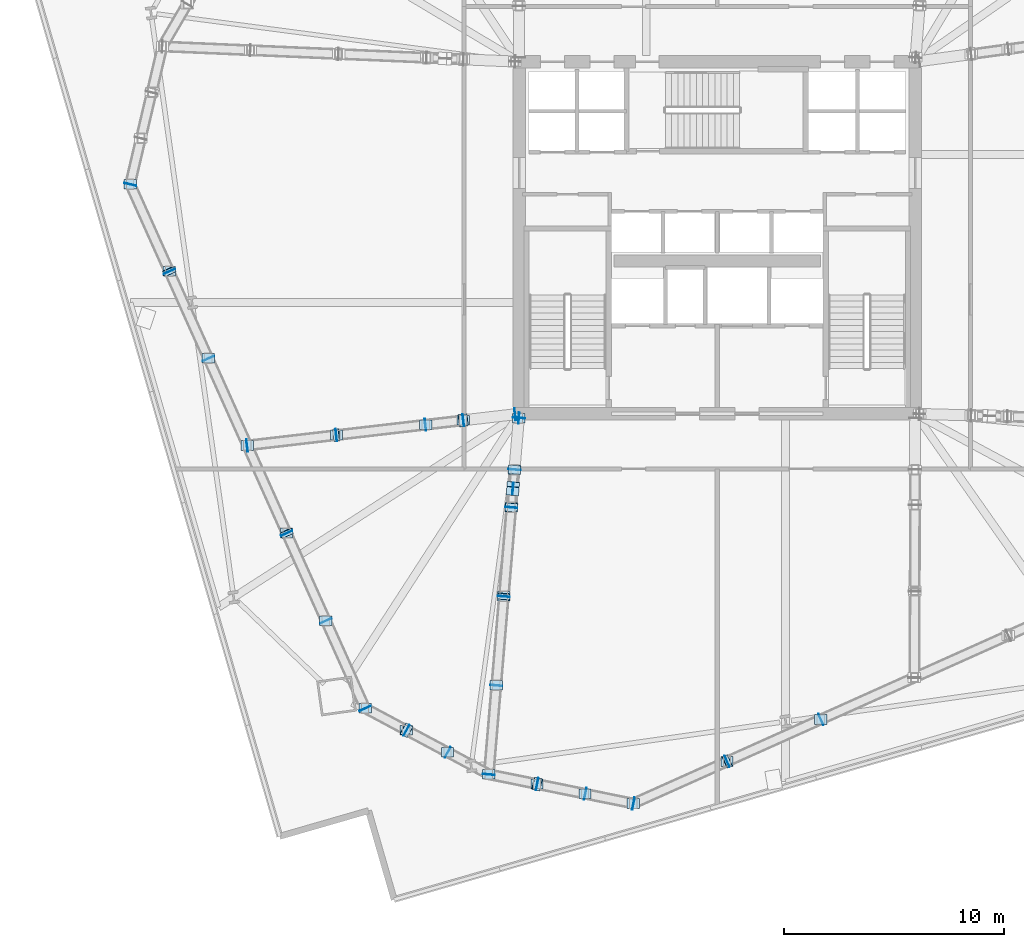
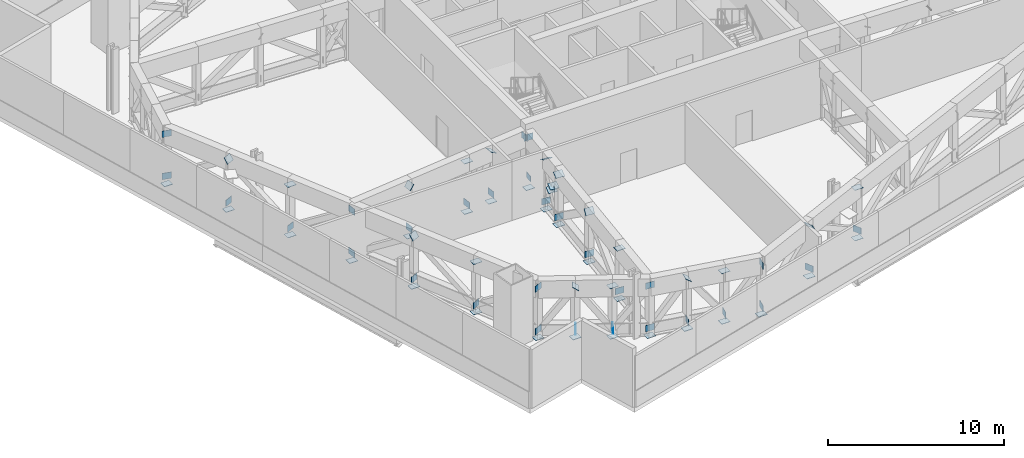
# One storey, part 8 of 19: 73 plates.
"""IFC4 building model written with IfcOpenShell, lengths in metres."""

from ifc_helpers import new_model, si_unit, direction, frame, origin, origin_2d, place, context, subcontext, project, spatial, rectangle, extrude, source, transform, mapped, material, layer, layer_set, type_object, element, save


model = new_model("IFC4")

# Units and contexts
model_context = context("Model", 3, precision=1e-05, world=origin(), true_north=direction((0.0, 1.0)))
body_context = subcontext(model_context, "Body", "Model", "MODEL_VIEW")
ifc_project = project(units=[si_unit("LENGTHUNIT", "METRE"), si_unit("AREAUNIT", "SQUARE_METRE"), si_unit("VOLUMEUNIT", "CUBIC_METRE"), si_unit("PLANEANGLEUNIT", "RADIAN"), si_unit("MASSUNIT", "GRAM", prefix="KILO")], contexts=[model_context])

# Site, building, storey
site_placement = place(None, origin())
site = spatial("IfcSite", under=ifc_project, at=site_placement, CompositionType="ELEMENT")
building_placement = place(site_placement, origin())
building = spatial("IfcBuilding", under=site, at=building_placement, Name="Haldenkirk Collegiate Tower", CompositionType="ELEMENT")
storey_placement = place(building_placement, frame((0.0, 0.0, 81.449951171875)))
storey = spatial("IfcBuildingStorey", under=building, at=storey_placement, Name="L19", CompositionType="ELEMENT", Elevation=81.449951171875)

# Plates
ifc_material = material(Name="Steel ASTM A572 Grade 50", Category="steel")
ifc_layer_1 = layer(ifc_material, 0.028076171875)
ifc_layer_set_1 = layer_set([ifc_layer_1], Name="Steel ASTM A572 Grade 50")
plate_type_1 = type_object("IfcPlateType", Name="PLT-CAP-INT-560X440", PredefinedType="USERDEFINED", material=ifc_layer_set_1)
shared_shape_1 = source(origin(), body_context, "Body", "SweptSolid", [
    extrude(rectangle(XDim=0.56005859375, YDim=0.43994140625, at=origin_2d()), origin(), (0.0, 0.0, 1.0), 0.028076171875),
])
for number, where, z_axis, x_axis, name in (
    (1, (26.98291015625, 17.7978515625, 3.489990234375), (0.084142973976, 0.996453691814, 0.0), (-0.996453691814, 0.084142973976, 0.0), "Outrigger Truss L19 Radial 01 top chord 1 end cap plate 1"),
    (2, (26.784423828125, 15.447021484375, 0.550048828125), (0.084148022421, 0.996453265499, 0.0), (-0.996453265499, 0.084148022421, 0.0), "Outrigger Truss L19 Radial 01 bottom chord 2 end plate 1"),
    (3, (26.641845703125, 13.7578125, 0.550048828125), (-0.084148022421, -0.996453265499, 0.0), (0.996453265499, -0.084148022421, 0.0), "Outrigger Truss L19 Radial 01 bottom chord 2 end plate 2"),
    (4, (26.78466796875, 15.448486328125, 3.4873046875), (0.042159022942, 0.499023271555, 0.865562471016), (-0.996450242587, 0.084183811076, -3.60665e-07), "Outrigger Truss L19 Radial 01 web diagonal 2 end cap plate 1"),
    (5, (26.72314453125, 14.723876953125, 1.8095703125), (-0.042171006803, -0.4989950805, 0.865578139639), (0.996447805476, -0.084212653215, -5.68968e-07), "Outrigger Truss L19 Radial 01 split X-brace diagonal 2A end cap plate 2"),
    (6, (26.703125, 14.481201171875, 2.23046875), (0.042171006803, 0.4989950805, -0.865578139639), (-0.996447805476, 0.084212653215, 5.68968e-07), "Outrigger Truss L19 Radial 01 split X-brace diagonal 2B end cap plate 1"),
    (7, (26.6416015625, 13.756591796875, 3.4873046875), (-0.042171006803, -0.4989950805, 0.865578139639), (0.996447805476, -0.084212653215, -5.68968e-07), "Outrigger Truss L19 Radial 01 split X-brace diagonal 2B end cap plate 2"),
    (8, (26.30029296875, 9.712158203125, 0.550048828125), (-0.084148022421, -0.996453265499, 0.0), (0.996453265499, -0.084148022421, 0.0), "Outrigger Truss L19 Radial 01 bottom chord 3 end plate 2"),
    (9, (26.30029296875, 9.711669921875, 3.48828125), (-0.068145980093, -0.807076764234, 0.58650082867), (0.996454270265, -0.084136123458, 7.2616e-08), "Outrigger Truss L19 Radial 01 web diagonal 3 end cap plate 2"),
    (10, (25.95849609375, 5.66650390625, 0.550048828125), (-0.084148022421, -0.996453265499, 0.0), (0.996453265499, -0.084148022421, 0.0), "Outrigger Truss L19 Radial 01 bottom chord 4 end plate 2"),
    (11, (25.616943359375, 1.620849609375, 3.489990234375), (-0.084136023532, -0.996454278702, 0.0), (0.996454278702, -0.084136023532, 0.0), "Outrigger Truss L19 Radial 01 top chord 5 end cap plate 2"),
    (12, (25.616943359375, 1.620849609375, 0.550048828125), (-0.084148022421, -0.996453265499, 0.0), (0.996453265499, -0.084148022421, 0.0), "Outrigger Truss L19 Radial 01 bottom chord 5 end plate 2"),
    (13, (26.983154296875, 17.80078125, 0.0029296875), (0.0, 0.0, -1.0), (1.0, 0.0, 0.0), "Outrigger Truss L19 Radial 01 vertical post 1 end cap plate 1"),
    (14, (26.78466796875, 15.449951171875, 0.0029296875), (0.0, 0.0, -1.0), (1.0, 0.0, 0.0), "Outrigger Truss L19 Radial 01 vertical post 2 end cap plate 1"),
    (15, (26.6416015625, 13.7548828125, 0.0029296875), (0.0, 0.0, -1.0), (1.0, 0.0, 0.0), "Outrigger Truss L19 Radial 01 vertical post 3 end cap plate 1"),
    (16, (26.2998046875, 9.709228515625, 0.0029296875), (0.0, 0.0, -1.0), (1.0, 0.0, 0.0), "Outrigger Truss L19 Radial 01 vertical post 4 end cap plate 1"),
    (17, (25.958251953125, 5.66357421875, 0.0029296875), (0.0, 0.0, -1.0), (1.0, 0.0, 0.0), "Outrigger Truss L19 Radial 01 vertical post 5 end cap plate 1"),
    (18, (25.958251953125, 5.66357421875, 3.48681640625), (0.0, 0.0, 1.0), (1.0, 0.0, 0.0), "Outrigger Truss L19 Radial 01 vertical post 5 end cap plate 2"),
    (19, (25.61669921875, 1.617919921875, 0.0029296875), (0.0, 0.0, -1.0), (1.0, 0.0, 0.0), "Outrigger Truss L19 Radial 01 vertical post 6 end cap plate 1"),
    (20, (26.79833984375, 17.9765625, 3.489990234375), (0.993288276547, 0.115665032203, 0.0), (-0.115665032203, 0.993288276547, 0.0), "Outrigger Truss L19 Radial 08 top chord 1 end cap plate 1"),
    (21, (24.447021484375, 17.70263671875, 0.550048828125), (0.993286884432, 0.115676986541, 0.0), (-0.115676986541, 0.993286884432, 0.0), "Outrigger Truss L19 Radial 08 bottom chord 2 end plate 1"),
    (22, (22.75146484375, 17.50537109375, 0.550048828125), (-0.993286884432, -0.115676986541, 0.0), (0.115676986541, -0.993286884432, 0.0), "Outrigger Truss L19 Radial 08 bottom chord 2 end plate 2"),
    (23, (24.448486328125, 17.702880859375, 3.4873046875), (0.500074219177, 0.05824802553, 0.864021378692), (-0.115696113683, 0.993284656722, -2.61951e-07), "Outrigger Truss L19 Radial 08 web diagonal 2 end cap plate 1"),
    (24, (18.698486328125, 17.033203125, 0.550048828125), (-0.993286884432, -0.115676986541, 0.0), (0.115676986541, -0.993286884432, 0.0), "Outrigger Truss L19 Radial 08 bottom chord 3 end plate 2"),
    (25, (18.69775390625, 17.033203125, 3.488037109375), (-0.805888163809, -0.093851019077, 0.584582118825), (0.115674919689, -0.993287125133, 6.7907e-08), "Outrigger Truss L19 Radial 08 web diagonal 3 end cap plate 2"),
    (26, (14.6455078125, 16.561279296875, 3.489990234375), (-0.993286769531, -0.11567797316, 0.0), (0.11567797316, -0.993286769531, 0.0), "Outrigger Truss L19 Radial 08 top chord 4 end cap plate 2"),
    (27, (14.6455078125, 16.561279296875, 0.550048828125), (-0.993286884432, -0.115676986541, 0.0), (0.115676986541, -0.993286884432, 0.0), "Outrigger Truss L19 Radial 08 bottom chord 4 end plate 2"),
    (28, (24.449951171875, 17.703125, 0.0029296875), (0.0, 0.0, -1.0), (1.0, 0.0, 0.0), "Outrigger Truss L19 Radial 08 vertical post 2 end cap plate 1"),
    (29, (22.748291015625, 17.5048828125, 0.0029296875), (0.0, 0.0, -1.0), (1.0, 0.0, 0.0), "Outrigger Truss L19 Radial 08 vertical post 3 end cap plate 1"),
    (30, (22.748291015625, 17.5048828125, 3.48681640625), (0.0, 0.0, 1.0), (1.0, 0.0, 0.0), "Outrigger Truss L19 Radial 08 vertical post 3 end cap plate 2"),
    (31, (18.6953125, 17.032958984375, 0.0029296875), (0.0, 0.0, -1.0), (1.0, 0.0, 0.0), "Outrigger Truss L19 Radial 08 vertical post 4 end cap plate 1"),
    (32, (14.642578125, 16.560791015625, 0.0029296875), (0.0, 0.0, -1.0), (1.0, 0.0, 0.0), "Outrigger Truss L19 Radial 08 vertical post 5 end cap plate 1"),
    (33, (27.802001953125, 1.1748046875, 0.550048828125), (0.980071528973, -0.19864490453, 0.0), (0.19864490453, 0.980071528973, 0.0), "Belt Truss L19-01 bottom chord 1 end plate 2"),
    (34, (27.802978515625, 1.1748046875, 3.487548828125), (0.592756007229, -0.120133001465, 0.796372009712), (0.198630169597, 0.980074515395, 8.4067e-08), "Belt Truss L19-01 web diagonal 1 end cap plate 2"),
    (35, (29.990234375, 0.731201171875, 0.550048828125), (0.980071528973, -0.19864490453, 0.0), (0.19864490453, 0.980071528973, 0.0), "Belt Truss L19-01 bottom chord 2 end plate 2"),
    (36, (32.1787109375, 0.287841796875, 3.489990234375), (0.980074528076, -0.198630107024, 0.0), (0.198630107024, 0.980074528076, 0.0), "Belt Truss L19-01 top chord 3 end cap plate 2"),
    (37, (32.1787109375, 0.287841796875, 0.550048828125), (0.980071528973, -0.19864490453, 0.0), (0.19864490453, 0.980071528973, 0.0), "Belt Truss L19-01 bottom chord 3 end plate 2"),
    (38, (27.804931640625, 1.17431640625, 0.0029296875), (0.0, 0.0, -1.0), (1.0, 0.0, 0.0), "Belt Truss L19-01 vertical post 2 end cap plate 1"),
    (39, (29.9931640625, 0.730712890625, 0.0029296875), (0.0, 0.0, -1.0), (1.0, 0.0, 0.0), "Belt Truss L19-01 vertical post 3 end cap plate 1"),
    (40, (29.9931640625, 0.730712890625, 3.48681640625), (0.0, 0.0, 1.0), (1.0, 0.0, 0.0), "Belt Truss L19-01 vertical post 3 end cap plate 2"),
    (41, (32.181396484375, 0.287353515625, 0.0029296875), (0.0, 0.0, -1.0), (1.0, 0.0, 0.0), "Belt Truss L19-01 vertical post 4 end cap plate 1"),
    (42, (36.438232421875, 2.19580078125, 0.550048828125), (0.912478829906, 0.409123923736, 0.0), (-0.409123923736, 0.912478829906, 0.0), "Belt Truss L19-02 bottom chord 1 end plate 2"),
    (43, (36.438720703125, 2.196044921875, 3.48828125), (0.772105964206, 0.346183983951, 0.532924975294), (-0.409122213628, 0.912479596658, -2.267e-07), "Belt Truss L19-02 web diagonal 1 end cap plate 2"),
    (44, (40.69775390625, 4.10546875, 0.550048828125), (0.912478829906, 0.409123923736, 0.0), (-0.409123923736, 0.912478829906, 0.0), "Belt Truss L19-02 bottom chord 2 end plate 2"),
    (45, (36.44091796875, 2.197021484375, 0.0029296875), (0.0, 0.0, -1.0), (1.0, 0.0, 0.0), "Belt Truss L19-02 vertical post 2 end cap plate 1"),
    (46, (40.700439453125, 4.10693359375, 0.0029296875), (0.0, 0.0, -1.0), (1.0, 0.0, 0.0), "Belt Truss L19-02 vertical post 3 end cap plate 1"),
    (47, (40.700439453125, 4.10693359375, 3.48681640625), (0.0, 0.0, 1.0), (1.0, 0.0, 0.0), "Belt Truss L19-02 vertical post 3 end cap plate 2"),
    (48, (9.318359375, 28.439697265625, 3.489990234375), (-0.228354985373, -0.973577937638, 0.0), (0.973577937638, -0.228354985373, 0.0), "Belt Truss L19-13 top chord 3 end cap plate 2"),
    (49, (9.318359375, 28.439697265625, 0.550048828125), (-0.22836607872, -0.973575335601, 0.0), (0.973575335601, -0.22836607872, 0.0), "Belt Truss L19-13 bottom chord 3 end plate 2"),
    (50, (9.317626953125, 28.436767578125, 0.0029296875), (0.0, 0.0, -1.0), (1.0, 0.0, 0.0), "Belt Truss L19-13 vertical post 4 end cap plate 1"),
    (51, (11.09130859375, 24.48095703125, 0.550048828125), (0.409128000836, -0.912477001865, 0.0), (0.912477001865, 0.409128000836, 0.0), "Belt Truss L19-14 bottom chord 1 end plate 2"),
    (52, (11.091552734375, 24.48046875, 3.488525390625), (0.338679948584, -0.755364885326, 0.560998914833), (0.912478681747, 0.409124254178, -2.45415e-07), "Belt Truss L19-14 web diagonal 1 end cap plate 2"),
    (53, (12.8662109375, 20.522216796875, 0.550048828125), (0.409128000836, -0.912477001865, 0.0), (0.912477001865, 0.409128000836, 0.0), "Belt Truss L19-14 bottom chord 2 end plate 2"),
    (54, (11.092529296875, 24.478271484375, 0.0029296875), (0.0, 0.0, -1.0), (1.0, 0.0, 0.0), "Belt Truss L19-14 vertical post 2 end cap plate 1"),
    (55, (12.86767578125, 20.51953125, 0.0029296875), (0.0, 0.0, -1.0), (1.0, 0.0, 0.0), "Belt Truss L19-14 vertical post 3 end cap plate 1"),
    (56, (12.86767578125, 20.51953125, 3.48681640625), (0.0, 0.0, 1.0), (1.0, 0.0, 0.0), "Belt Truss L19-14 vertical post 3 end cap plate 2"),
    (57, (16.425537109375, 12.583740234375, 0.550048828125), (0.409127168221, -0.912477375184, 0.0), (0.912477375184, 0.409127168221, 0.0), "Belt Truss L19-15 bottom chord 1 end plate 2"),
    (58, (16.42578125, 12.58349609375, 3.48828125), (0.339258112847, -0.756634251677, 0.558935185917), (0.912474460155, 0.409133669557, 3.30143e-07), "Belt Truss L19-15 web diagonal 1 end cap plate 2"),
    (59, (18.2099609375, 8.603759765625, 0.550048828125), (0.409127168221, -0.912477375184, 0.0), (0.912477375184, 0.409127168221, 0.0), "Belt Truss L19-15 bottom chord 2 end plate 2"),
    (60, (19.99462890625, 4.623779296875, 3.489990234375), (0.409134116474, -0.912474259767, 0.0), (0.912474259767, 0.409134116474, 0.0), "Belt Truss L19-15 top chord 3 end cap plate 2"),
    (61, (19.99462890625, 4.623779296875, 0.550048828125), (0.409127168221, -0.912477375184, 0.0), (0.912477375184, 0.409127168221, 0.0), "Belt Truss L19-15 bottom chord 3 end plate 2"),
    (62, (16.427001953125, 12.5810546875, 0.0029296875), (0.0, 0.0, -1.0), (1.0, 0.0, 0.0), "Belt Truss L19-15 vertical post 2 end cap plate 1"),
    (63, (18.21142578125, 8.60107421875, 0.0029296875), (0.0, 0.0, -1.0), (1.0, 0.0, 0.0), "Belt Truss L19-15 vertical post 3 end cap plate 1"),
    (64, (18.21142578125, 8.60107421875, 3.48681640625), (0.0, 0.0, 1.0), (1.0, 0.0, 0.0), "Belt Truss L19-15 vertical post 3 end cap plate 2"),
    (65, (19.995849609375, 4.62109375, 0.0029296875), (0.0, 0.0, -1.0), (1.0, 0.0, 0.0), "Belt Truss L19-15 vertical post 4 end cap plate 1"),
    (66, (21.86669921875, 3.62158203125, 0.550048828125), (0.88198835827, -0.471271191434, 0.0), (0.471271191434, 0.88198835827, 0.0), "Belt Truss L19-16 bottom chord 1 end plate 2"),
    (67, (21.867919921875, 3.62109375, 3.487548828125), (0.516549892938, -0.276001942795, 0.810554832001), (0.471264665212, 0.881991845383, -3.07821e-07), "Belt Truss L19-16 web diagonal 1 end cap plate 2"),
    (68, (23.740234375, 2.620361328125, 0.550048828125), (0.88198835827, -0.471271191434, 0.0), (0.471271191434, 0.88198835827, 0.0), "Belt Truss L19-16 bottom chord 2 end plate 2"),
    (69, (21.869384765625, 3.6201171875, 0.0029296875), (0.0, 0.0, -1.0), (1.0, 0.0, 0.0), "Belt Truss L19-16 vertical post 2 end cap plate 1"),
    (70, (23.742919921875, 2.618896484375, 0.0029296875), (0.0, 0.0, -1.0), (1.0, 0.0, 0.0), "Belt Truss L19-16 vertical post 3 end cap plate 1"),
    (71, (23.742919921875, 2.618896484375, 3.48681640625), (0.0, 0.0, 1.0), (1.0, 0.0, 0.0), "Belt Truss L19-16 vertical post 3 end cap plate 2"),
):
    element("IfcPlate", number, at=place(storey_placement, frame(where, z_axis=z_axis, x_axis=x_axis)), inside=storey, type_object=plate_type_1, Name=name, ObjectType="END CAP PLATE", PredefinedType="USERDEFINED", context=body_context, shape_type="MappedRepresentation", body=[
        mapped(shared_shape_1, transform((0.0, 0.0, 0.0), x_axis=(1.0, 0.0, 0.0), y_axis=(0.0, 1.0, 0.0), z_axis=(0.0, 0.0, 1.0), scale=1.0)),
    ])
ifc_layer_2 = layer(ifc_material, 0.031982421875)
ifc_layer_set_2 = layer_set([ifc_layer_2], Name="Steel ASTM A572 Grade 50")
plate_type_2 = type_object("IfcPlateType", Name="PLT-GUSSET-INT-520X380", PredefinedType="USERDEFINED", material=ifc_layer_set_2)
shared_shape_2 = source(origin(), body_context, "Body", "SweptSolid", [
    extrude(rectangle(XDim=0.52001953125, YDim=0.031982421875, at=origin_2d()), origin(), (0.0, 0.0, 1.0), 0.3798828125),
])
for number, where, z_axis, x_axis, name in (
    (72, (26.713134765625, 14.6025390625, 1.830078125), (0.0, 0.0, 1.0), (-0.084148170625, -0.996453252983, 0.0), "Outrigger Truss L19 Radial 01 X-brace crossing gusset plate 2"),
    (73, (26.983154296875, 17.80078125, 0.550048828125), (0.0, 0.0, 1.0), (-0.084148170625, -0.996453252983, 0.0), "Outrigger Truss L19 Radial 01 bottom node gusset plate 1"),
):
    element("IfcPlate", number, at=place(storey_placement, frame(where, z_axis=z_axis, x_axis=x_axis)), inside=storey, type_object=plate_type_2, Name=name, ObjectType="GUSSET PLATE", PredefinedType="USERDEFINED", context=body_context, shape_type="MappedRepresentation", body=[
        mapped(shared_shape_2, transform((0.0, 0.0, 0.0), x_axis=(1.0, 0.0, 0.0), y_axis=(0.0, 1.0, 0.0), z_axis=(0.0, 0.0, 1.0), scale=1.0)),
    ])

save(model, "model.ifc")
